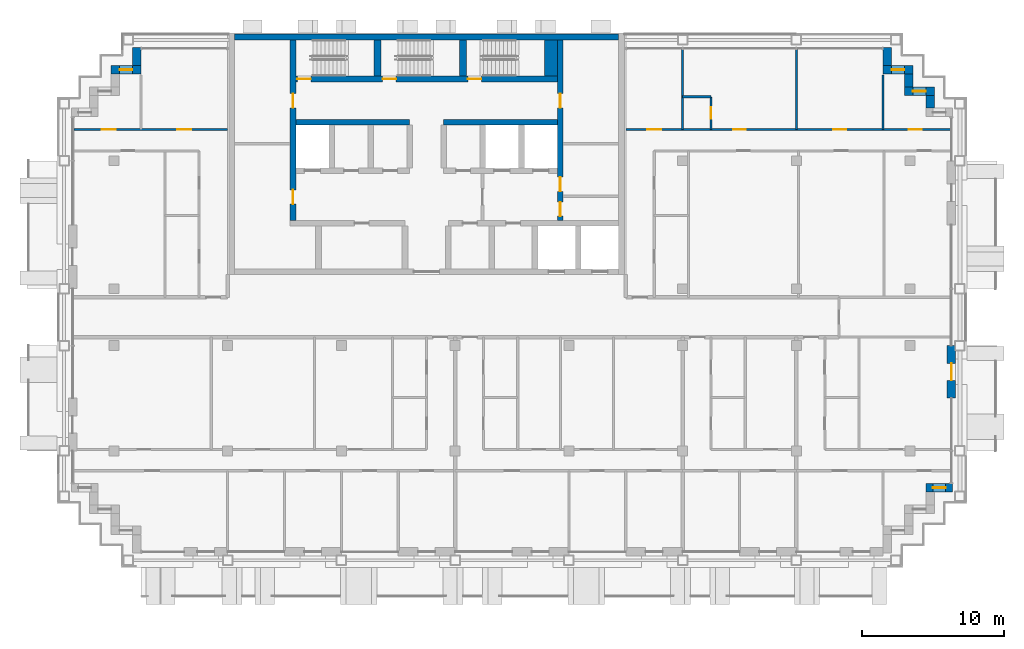
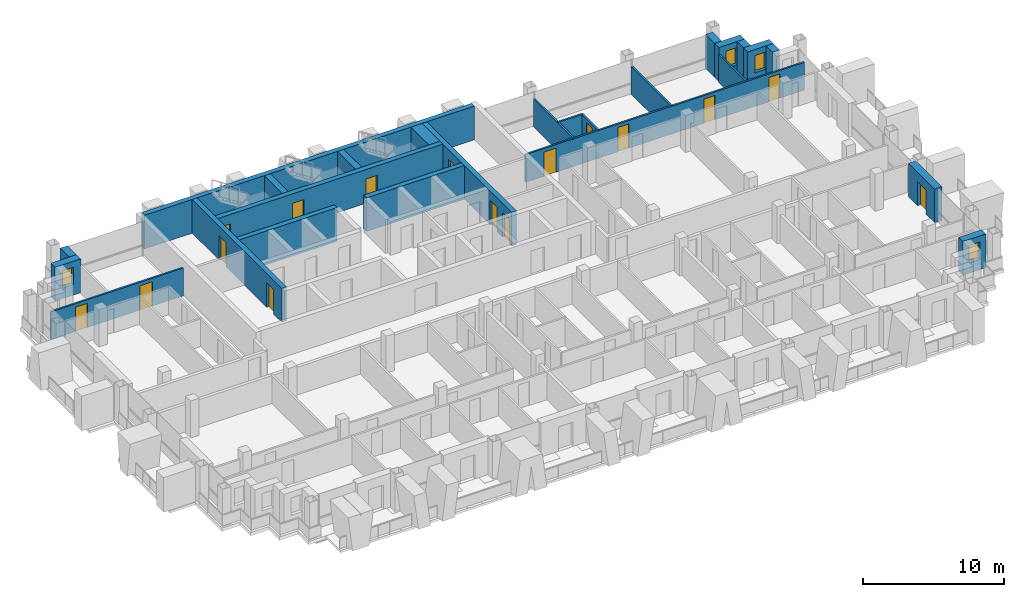
# One storey, part 11 of 16: 25 walls, 16 doors, 4 windows, 20 openings.
"""IFC4 building model written with IfcOpenShell, lengths in metres."""

from ifc_helpers import new_model, si_unit, direction, frame, frame_2d, origin, place, context, subcontext, project, spatial, rectangle, extrude, material, layer, layer_set, type_object, element, fill, save


model = new_model("IFC4")

# Units and contexts
model_context = context("Model", 3, precision=1e-05, world=origin(), true_north=direction((0.0, 1.0)))
body_context = subcontext(model_context, "Body", "Model", "MODEL_VIEW")
ifc_project = project(units=[si_unit("LENGTHUNIT", "METRE"), si_unit("AREAUNIT", "SQUARE_METRE"), si_unit("VOLUMEUNIT", "CUBIC_METRE"), si_unit("PLANEANGLEUNIT", "RADIAN"), si_unit("MASSUNIT", "GRAM", prefix="KILO")], contexts=[model_context])

# Site, building, storey
site_placement = place(None, origin())
site = spatial("IfcSite", under=ifc_project, at=site_placement, CompositionType="ELEMENT")
building_placement = place(site_placement, origin())
building = spatial("IfcBuilding", under=site, at=building_placement, Name="Vidyagriha Tower", CompositionType="ELEMENT")
storey_placement = place(building_placement, frame((0.0, 0.0, 174.89990234375)))
storey = spatial("IfcBuildingStorey", under=building, at=storey_placement, Name="L45", CompositionType="ELEMENT", Elevation=174.89990234375)

# Wall
ifc_material_1 = material(Name="Precast concrete C40/50 with brick facing", Category="concrete")
ifc_layer_1 = layer(ifc_material_1, 0.60009765625)
ifc_layer_set_1 = layer_set([ifc_layer_1], Name="Precast concrete C40/50 with brick facing")
wall_type_1 = type_object("IfcWallType", Name="Brick-faced precast wall 600", PredefinedType="STANDARD", material=ifc_layer_set_1)
wall_1_placement = place(storey_placement, frame((35.39990234375, 14.699951171875, 0.0), z_axis=(0.0, 0.0, 1.0), x_axis=(0.0, 1.0, 0.0)))
element("IfcWall", 1, at=wall_1_placement, inside=storey, type_object=wall_type_1, Name="Stepped corner wall L45 R02", PredefinedType="STANDARD", context=body_context, shape_type="SweptSolid", body=[
    extrude(rectangle(XDim=0.900146484375, YDim=0.60009765625, at=frame_2d((0.4501953125, 0.0))), origin(), (0.0, 0.0, 1.0), 2.920166015625),
])

# Wall, opening, window
wall_2_placement = place(storey_placement, frame((35.699951171875, 15.89990234375, 0.0), z_axis=(0.0, 0.0, 1.0), x_axis=(-1.0, 0.0, 0.0)))
wall_2 = element("IfcWall", 2, at=wall_2_placement, inside=storey, type_object=wall_type_1, Name="Stepped corner wall L45 R03", PredefinedType="STANDARD", context=body_context, shape_type="SweptSolid", body=[
    extrude(rectangle(XDim=2.099853515625, YDim=0.60009765625, at=frame_2d((1.0498046875, 0.0))), origin(), (0.0, 0.0, 1.0), 2.920166015625),
])
opening_1_placement = place(wall_2_placement, frame((0.60009765625, 0.0, 0.89990234375)))
opening_1 = element("IfcOpeningElement", 3, at=opening_1_placement, cuts=wall_2, Name="Opening WN1", PredefinedType="OPENING", context=body_context, shape_type="SweptSolid", body=[
    extrude(rectangle(XDim=0.89990234375, YDim=1.5, at=frame_2d((0.449951171875, 0.75))), frame((0.0, 0.31005859375, 0.0), z_axis=(0.0, -1.0, 0.0), x_axis=(1.0, 0.0, 0.0)), (0.0, 0.0, 1.0), 0.6201171875),
])
ifc_material_2 = material(Name="Aluminium and glass window", Category="aluminium")
window_type = type_object("IfcWindowType", Name="Reveal window 900x1500", PartitioningType="NOTDEFINED", PredefinedType="WINDOW", material=ifc_material_2)
window_1_placement = place(opening_1_placement, origin())
window_1 = element("IfcWindow", 4, at=window_1_placement, inside=storey, type_object=window_type, Name="Reveal window L45 R03", OverallHeight=1.5, OverallWidth=0.89990234375, PartitioningType="SINGLE_PANEL", PredefinedType="WINDOW", context=body_context, shape_type="SweptSolid", body=[
    extrude(rectangle(XDim=0.89990234375, YDim=1.5, at=frame_2d((0.449951171875, 0.75))), frame((0.0, 0.030029296875, 0.0), z_axis=(0.0, -1.0, 0.0), x_axis=(1.0, 0.0, 0.0)), (0.0, 0.0, 1.0), 0.06005859375),
])
fill(opening_1, window_1)

# Wall
wall_3_placement = place(storey_placement, frame((33.89990234375, 16.199951171875, 0.0), z_axis=(0.0, 0.0, 1.0), x_axis=(0.0, 1.0, 0.0)))
element("IfcWall", 5, at=wall_3_placement, inside=storey, type_object=wall_type_1, Name="Stepped corner wall L45 R04", PredefinedType="STANDARD", context=body_context, shape_type="SweptSolid", body=[
    extrude(rectangle(XDim=0.900146484375, YDim=0.60009765625, at=frame_2d((0.4501953125, 0.0))), origin(), (0.0, 0.0, 1.0), 2.920166015625),
])

# Wall, opening, window
wall_4_placement = place(storey_placement, frame((34.199951171875, 17.39990234375, 0.0), z_axis=(0.0, 0.0, 1.0), x_axis=(-1.0, 0.0, 0.0)))
wall_4 = element("IfcWall", 6, at=wall_4_placement, inside=storey, type_object=wall_type_1, Name="Stepped corner wall L45 R05", PredefinedType="STANDARD", context=body_context, shape_type="SweptSolid", body=[
    extrude(rectangle(XDim=2.099853515625, YDim=0.60009765625, at=frame_2d((1.0498046875, 0.0))), origin(), (0.0, 0.0, 1.0), 2.920166015625),
])
opening_2_placement = place(wall_4_placement, frame((0.60009765625, 0.0, 0.89990234375)))
opening_2 = element("IfcOpeningElement", 7, at=opening_2_placement, cuts=wall_4, Name="Opening WN1", PredefinedType="OPENING", context=body_context, shape_type="SweptSolid", body=[
    extrude(rectangle(XDim=0.89990234375, YDim=1.5, at=frame_2d((0.449951171875, 0.75))), frame((0.0, 0.31005859375, 0.0), z_axis=(0.0, -1.0, 0.0), x_axis=(1.0, 0.0, 0.0)), (0.0, 0.0, 1.0), 0.6201171875),
])
window_2_placement = place(opening_2_placement, origin())
window_2 = element("IfcWindow", 8, at=window_2_placement, inside=storey, type_object=window_type, Name="Reveal window L45 R05", OverallHeight=1.5, OverallWidth=0.89990234375, PartitioningType="SINGLE_PANEL", PredefinedType="WINDOW", context=body_context, shape_type="SweptSolid", body=[
    extrude(rectangle(XDim=0.89990234375, YDim=1.5, at=frame_2d((0.449951171875, 0.75))), frame((0.0, 0.030029296875, 0.0), z_axis=(0.0, -1.0, 0.0), x_axis=(1.0, 0.0, 0.0)), (0.0, 0.0, 1.0), 0.06005859375),
])
fill(opening_2, window_2)

# Walls
for number, where, z_axis, x_axis, name in (
    (9, (32.39990234375, 17.699951171875, 0.0), (0.0, 0.0, 1.0), (0.0, 1.0, 0.0), "Stepped corner wall L45 R06"),
    (10, (-20.39990234375, 18.97998046875, 0.0), (0.0, 0.0, 1.0), (0.0, -1.0, 0.0), "Stepped corner wall L45 R10"),
):
    element("IfcWall", number, at=place(storey_placement, frame(where, z_axis=z_axis, x_axis=x_axis)), inside=storey, type_object=wall_type_1, Name=name, PredefinedType="STANDARD", context=body_context, shape_type="SweptSolid", body=[
        extrude(rectangle(XDim=1.280029296875, YDim=0.60009765625, at=frame_2d((0.64013671875, 0.0))), origin(), (0.0, 0.0, 1.0), 2.920166015625),
    ])

# Wall, opening, window
wall_5_placement = place(storey_placement, frame((-20.10009765625, 17.39990234375, 0.0), z_axis=(0.0, 0.0, 1.0), x_axis=(-1.0, 0.0, 0.0)))
wall_5 = element("IfcWall", 11, at=wall_5_placement, inside=storey, type_object=wall_type_1, Name="Stepped corner wall L45 R11", PredefinedType="STANDARD", context=body_context, shape_type="SweptSolid", body=[
    extrude(rectangle(XDim=2.099853515625, YDim=0.60009765625, at=frame_2d((1.0498046875, 0.0))), origin(), (0.0, 0.0, 1.0), 2.920166015625),
])
opening_3_placement = place(wall_5_placement, frame((0.60009765625, 0.0, 0.89990234375)))
opening_3 = element("IfcOpeningElement", 12, at=opening_3_placement, cuts=wall_5, Name="Opening WN1", PredefinedType="OPENING", context=body_context, shape_type="SweptSolid", body=[
    extrude(rectangle(XDim=0.89990234375, YDim=1.5, at=frame_2d((0.449951171875, 0.75))), frame((0.0, 0.31005859375, 0.0), z_axis=(0.0, -1.0, 0.0), x_axis=(1.0, 0.0, 0.0)), (0.0, 0.0, 1.0), 0.6201171875),
])
window_3_placement = place(opening_3_placement, origin())
window_3 = element("IfcWindow", 13, at=window_3_placement, inside=storey, type_object=window_type, Name="Reveal window L45 R11", OverallHeight=1.5, OverallWidth=0.89990234375, PartitioningType="SINGLE_PANEL", PredefinedType="WINDOW", context=body_context, shape_type="SweptSolid", body=[
    extrude(rectangle(XDim=0.89990234375, YDim=1.5, at=frame_2d((0.449951171875, 0.75))), frame((0.0, 0.030029296875, 0.0), z_axis=(0.0, -1.0, 0.0), x_axis=(1.0, 0.0, 0.0)), (0.0, 0.0, 1.0), 0.06005859375),
])
fill(opening_3, window_3)

wall_6_placement = place(storey_placement, frame((35.10009765625, -12.0, 0.0)))
wall_6 = element("IfcWall", 14, at=wall_6_placement, inside=storey, type_object=wall_type_1, Name="Stepped corner wall L45 R29", PredefinedType="STANDARD", context=body_context, shape_type="SweptSolid", body=[
    extrude(rectangle(XDim=1.8798828125, YDim=0.60009765625, at=frame_2d((0.93994140625, 0.0))), origin(), (0.0, 0.0, 1.0), 2.920166015625),
])
opening_4_placement = place(wall_6_placement, frame((0.489990234375, 0.0, 0.89990234375)))
opening_4 = element("IfcOpeningElement", 15, at=opening_4_placement, cuts=wall_6, Name="Opening WN1", PredefinedType="OPENING", context=body_context, shape_type="SweptSolid", body=[
    extrude(rectangle(XDim=0.89990234375, YDim=1.5, at=frame_2d((0.449951171875, 0.75))), frame((0.0, 0.31005859375, 0.0), z_axis=(0.0, -1.0, 0.0), x_axis=(1.0, 0.0, 0.0)), (0.0, 0.0, 1.0), 0.6201171875),
])
window_4_placement = place(opening_4_placement, origin())
window_4 = element("IfcWindow", 16, at=window_4_placement, inside=storey, type_object=window_type, Name="Reveal window L45 R29", OverallHeight=1.5, OverallWidth=0.89990234375, PartitioningType="SINGLE_PANEL", PredefinedType="WINDOW", context=body_context, shape_type="SweptSolid", body=[
    extrude(rectangle(XDim=0.89990234375, YDim=1.5, at=frame_2d((0.449951171875, 0.75))), frame((0.0, 0.030029296875, 0.0), z_axis=(0.0, -1.0, 0.0), x_axis=(1.0, 0.0, 0.0)), (0.0, 0.0, 1.0), 0.06005859375),
])
fill(opening_4, window_4)

# Wall, opening, door
wall_7_placement = place(storey_placement, frame((36.89990234375, -5.699951171875, 0.0), z_axis=(0.0, 0.0, 1.0), x_axis=(0.0, 1.0, 0.0)))
wall_7 = element("IfcWall", 17, at=wall_7_placement, inside=storey, type_object=wall_type_1, Name="Brick door bay wall L45 R30.3", PredefinedType="STANDARD", context=body_context, shape_type="SweptSolid", body=[
    extrude(rectangle(XDim=3.699951171875, YDim=0.60009765625, at=frame_2d((1.85009765625, 0.0))), origin(), (0.0, 0.0, 1.0), 2.920166015625),
])
opening_5_placement = place(wall_7_placement, frame((1.25, 0.0, 0.0)))
opening_5 = element("IfcOpeningElement", 18, at=opening_5_placement, cuts=wall_7, Name="Opening D45-76", PredefinedType="OPENING", context=body_context, shape_type="SweptSolid", body=[
    extrude(rectangle(XDim=1.199951171875, YDim=2.10009765625, at=frame_2d((0.60009765625, 1.050048828125))), frame((0.0, 0.31005859375, 0.0), z_axis=(0.0, -1.0, 0.0), x_axis=(1.0, 0.0, 0.0)), (0.0, 0.0, 1.0), 0.6201171875),
])
ifc_material_3 = material(Name="Aluminium framed glazed sliding door", Category="aluminium")
door_type_1 = type_object("IfcDoorType", Name="Balcony sliding door 1200x2100", OperationType="NOTDEFINED", PredefinedType="DOOR", material=ifc_material_3)
door_1_placement = place(opening_5_placement, origin())
door_1 = element("IfcDoor", 19, at=door_1_placement, inside=storey, type_object=door_type_1, Name="Door D45-76", OperationType="SLIDING_TO_LEFT", OverallHeight=2.10009765625, OverallWidth=1.199951171875, PredefinedType="DOOR", context=body_context, shape_type="SweptSolid", body=[
    extrude(rectangle(XDim=1.199951171875, YDim=2.10009765625, at=frame_2d((0.60009765625, 1.050048828125))), frame((0.0, 0.02490234375, 0.0), z_axis=(0.0, -1.0, 0.0), x_axis=(1.0, 0.0, 0.0)), (0.0, 0.0, 1.0), 0.050048828125),
])
fill(opening_5, door_1)

# Wall
ifc_material_4 = material(Name="Concrete C60/75", Category="concrete")
ifc_layer_2 = layer(ifc_material_4, 0.39990234375)
ifc_layer_set_2 = layer_set([ifc_layer_2], Name="Concrete C60/75")
wall_type_2 = type_object("IfcWallType", Name="Core shear wall 400 mm", PredefinedType="SHEAR", material=ifc_layer_set_2)
wall_8_placement = place(storey_placement, frame((-13.5, 19.699951171875, 0.0)))
element("IfcWall", 20, at=wall_8_placement, inside=storey, type_object=wall_type_2, Name="Core north wall", PredefinedType="SHEAR", context=body_context, shape_type="SweptSolid", body=[
    extrude(rectangle(XDim=27.0, YDim=0.39990234375, at=frame_2d((13.5, 0.0))), origin(), (0.0, 0.0, 1.0), 2.920166015625),
])

# Wall, openings, doors
wall_9_placement = place(storey_placement, frame((-9.39990234375, 6.800048828125, 0.0), z_axis=(0.0, 0.0, 1.0), x_axis=(0.0, 1.0, 0.0)))
wall_9 = element("IfcWall", 21, at=wall_9_placement, inside=storey, type_object=wall_type_2, Name="Core west spine wall", PredefinedType="SHEAR", context=body_context, shape_type="SweptSolid", body=[
    extrude(rectangle(XDim=12.699951171875, YDim=0.39990234375, at=frame_2d((6.35009765625, 0.0))), origin(), (0.0, 0.0, 1.0), 2.920166015625),
])
opening_6_placement = place(wall_9_placement, frame((1.14990234375, 0.0, 0.0)))
opening_6 = element("IfcOpeningElement", 22, at=opening_6_placement, cuts=wall_9, Name="Opening D45-12", PredefinedType="OPENING", context=body_context, shape_type="SweptSolid", body=[
    extrude(rectangle(XDim=1.0, YDim=2.10009765625, at=frame_2d((0.5, 1.050048828125))), frame((0.0, 0.2099609375, 0.0), z_axis=(0.0, -1.0, 0.0), x_axis=(1.0, 0.0, 0.0)), (0.0, 0.0, 1.0), 0.419921875),
])
opening_7_placement = place(wall_9_placement, frame((7.925048828125, 0.0, 0.0)))
opening_7 = element("IfcOpeningElement", 23, at=opening_7_placement, cuts=wall_9, Name="Opening D45-13", PredefinedType="OPENING", context=body_context, shape_type="SweptSolid", body=[
    extrude(rectangle(XDim=1.0, YDim=2.10009765625, at=frame_2d((0.5, 1.050048828125))), frame((0.0, 0.2099609375, 0.0), z_axis=(0.0, -1.0, 0.0), x_axis=(1.0, 0.0, 0.0)), (0.0, 0.0, 1.0), 0.419921875),
])
ifc_material_5 = material(Name="Hollow metal door leaf")
door_type_2 = type_object("IfcDoorType", Name="Core room door 1000 x 2100 mm EI 60", OperationType="NOTDEFINED", PredefinedType="DOOR", material=ifc_material_5)
door_2_placement = place(opening_6_placement, frame((1.0, 0.0, 0.0), z_axis=(0.0, 0.0, 1.0), x_axis=(-1.0, 0.0, 0.0)))
door_2 = element("IfcDoor", 24, at=door_2_placement, inside=storey, type_object=door_type_2, Name="Door Cleaners Store 45.W1", OperationType="SINGLE_SWING_RIGHT", OverallHeight=2.10009765625, OverallWidth=1.0, PredefinedType="DOOR", context=body_context, shape_type="SweptSolid", body=[
    extrude(rectangle(XDim=1.0, YDim=2.10009765625, at=frame_2d((0.5, 1.050048828125))), frame((0.0, 0.02490234375, 0.0), z_axis=(0.0, -1.0, 0.0), x_axis=(1.0, 0.0, 0.0)), (0.0, 0.0, 1.0), 0.050048828125),
])
fill(opening_6, door_2)
door_3_placement = place(opening_7_placement, frame((1.0, 0.0, 0.0), z_axis=(0.0, 0.0, 1.0), x_axis=(-1.0, 0.0, 0.0)))
door_3 = element("IfcDoor", 25, at=door_3_placement, inside=storey, type_object=door_type_2, Name="Door Pressurisation Plant Room 45.W2", OperationType="SINGLE_SWING_LEFT", OverallHeight=2.10009765625, OverallWidth=1.0, PredefinedType="DOOR", context=body_context, shape_type="SweptSolid", body=[
    extrude(rectangle(XDim=1.0, YDim=2.10009765625, at=frame_2d((0.5, 1.050048828125))), frame((0.0, 0.02490234375, 0.0), z_axis=(0.0, -1.0, 0.0), x_axis=(1.0, 0.0, 0.0)), (0.0, 0.0, 1.0), 0.050048828125),
])
fill(opening_7, door_3)

wall_10_placement = place(storey_placement, frame((9.39990234375, 6.800048828125, 0.0), z_axis=(0.0, 0.0, 1.0), x_axis=(0.0, 1.0, 0.0)))
wall_10 = element("IfcWall", 26, at=wall_10_placement, inside=storey, type_object=wall_type_2, Name="Core east spine wall", PredefinedType="SHEAR", context=body_context, shape_type="SweptSolid", body=[
    extrude(rectangle(XDim=12.699951171875, YDim=0.39990234375, at=frame_2d((6.35009765625, 0.0))), origin(), (0.0, 0.0, 1.0), 2.920166015625),
])
opening_8_placement = place(wall_10_placement, frame((0.300048828125, 0.0, 0.0)))
opening_8 = element("IfcOpeningElement", 27, at=opening_8_placement, cuts=wall_10, Name="Opening D45-14", PredefinedType="OPENING", context=body_context, shape_type="SweptSolid", body=[
    extrude(rectangle(XDim=1.0, YDim=2.10009765625, at=frame_2d((0.5, 1.050048828125))), frame((0.0, 0.2099609375, 0.0), z_axis=(0.0, -1.0, 0.0), x_axis=(1.0, 0.0, 0.0)), (0.0, 0.0, 1.0), 0.419921875),
])
opening_9_placement = place(wall_10_placement, frame((2.050048828125, 0.0, 0.0)))
opening_9 = element("IfcOpeningElement", 28, at=opening_9_placement, cuts=wall_10, Name="Opening D45-15", PredefinedType="OPENING", context=body_context, shape_type="SweptSolid", body=[
    extrude(rectangle(XDim=1.0, YDim=2.10009765625, at=frame_2d((0.5, 1.050048828125))), frame((0.0, 0.2099609375, 0.0), z_axis=(0.0, -1.0, 0.0), x_axis=(1.0, 0.0, 0.0)), (0.0, 0.0, 1.0), 0.419921875),
])
opening_10_placement = place(wall_10_placement, frame((7.925048828125, 0.0, 0.0)))
opening_10 = element("IfcOpeningElement", 29, at=opening_10_placement, cuts=wall_10, Name="Opening D45-16", PredefinedType="OPENING", context=body_context, shape_type="SweptSolid", body=[
    extrude(rectangle(XDim=1.0, YDim=2.10009765625, at=frame_2d((0.5, 1.050048828125))), frame((0.0, 0.2099609375, 0.0), z_axis=(0.0, -1.0, 0.0), x_axis=(1.0, 0.0, 0.0)), (0.0, 0.0, 1.0), 0.419921875),
])
door_4_placement = place(opening_8_placement, origin())
door_4 = element("IfcDoor", 30, at=door_4_placement, inside=storey, type_object=door_type_2, Name="Door Pressurisation Plant Room 45.E1", OperationType="SINGLE_SWING_RIGHT", OverallHeight=2.10009765625, OverallWidth=1.0, PredefinedType="DOOR", context=body_context, shape_type="SweptSolid", body=[
    extrude(rectangle(XDim=1.0, YDim=2.10009765625, at=frame_2d((0.5, 1.050048828125))), frame((0.0, 0.02490234375, 0.0), z_axis=(0.0, -1.0, 0.0), x_axis=(1.0, 0.0, 0.0)), (0.0, 0.0, 1.0), 0.050048828125),
])
fill(opening_8, door_4)
door_5_placement = place(opening_9_placement, origin())
door_5 = element("IfcDoor", 31, at=door_5_placement, inside=storey, type_object=door_type_2, Name="Door Switchgear Room 45.E2", OperationType="SINGLE_SWING_LEFT", OverallHeight=2.10009765625, OverallWidth=1.0, PredefinedType="DOOR", context=body_context, shape_type="SweptSolid", body=[
    extrude(rectangle(XDim=1.0, YDim=2.10009765625, at=frame_2d((0.5, 1.050048828125))), frame((0.0, 0.02490234375, 0.0), z_axis=(0.0, -1.0, 0.0), x_axis=(1.0, 0.0, 0.0)), (0.0, 0.0, 1.0), 0.050048828125),
])
fill(opening_9, door_5)
door_6_placement = place(opening_10_placement, origin())
door_6 = element("IfcDoor", 32, at=door_6_placement, inside=storey, type_object=door_type_2, Name="Door Communications Room 45.E3", OperationType="SINGLE_SWING_LEFT", OverallHeight=2.10009765625, OverallWidth=1.0, PredefinedType="DOOR", context=body_context, shape_type="SweptSolid", body=[
    extrude(rectangle(XDim=1.0, YDim=2.10009765625, at=frame_2d((0.5, 1.050048828125))), frame((0.0, 0.02490234375, 0.0), z_axis=(0.0, -1.0, 0.0), x_axis=(1.0, 0.0, 0.0)), (0.0, 0.0, 1.0), 0.050048828125),
])
fill(opening_10, door_6)

# Walls
for number, where, name in (
    (33, (-9.199951171875, 13.699951171875, 0.0), "Core row N rear wall"),
    (34, (1.199951171875, 13.699951171875, 0.0), "Core row N rear wall"),
):
    element("IfcWall", number, at=place(storey_placement, frame(where)), inside=storey, type_object=wall_type_2, Name=name, PredefinedType="SHEAR", context=body_context, shape_type="SweptSolid", body=[
        extrude(rectangle(XDim=8.0, YDim=0.39990234375, at=frame_2d((4.0, 0.0))), origin(), (0.0, 0.0, 1.0), 2.920166015625),
    ])

# Wall, openings, doors
wall_11_placement = place(storey_placement, frame((-9.199951171875, 16.75, 0.0)))
wall_11 = element("IfcWall", 35, at=wall_11_placement, inside=storey, type_object=wall_type_2, Name="Stair front wall", PredefinedType="SHEAR", context=body_context, shape_type="SweptSolid", body=[
    extrude(rectangle(XDim=18.39990234375, YDim=0.39990234375, at=frame_2d((9.199951171875, 0.0))), origin(), (0.0, 0.0, 1.0), 2.920166015625),
])
opening_11_placement = place(wall_11_placement, frame((0.10009765625, 0.0, 0.0)))
opening_11 = element("IfcOpeningElement", 36, at=opening_11_placement, cuts=wall_11, Name="Opening D45-09", PredefinedType="OPENING", context=body_context, shape_type="SweptSolid", body=[
    extrude(rectangle(XDim=0.949951171875, YDim=2.10009765625, at=frame_2d((0.47509765625, 1.050048828125))), frame((0.0, 0.2099609375, 0.0), z_axis=(0.0, -1.0, 0.0), x_axis=(1.0, 0.0, 0.0)), (0.0, 0.0, 1.0), 0.419921875),
])
opening_12_placement = place(wall_11_placement, frame((6.10009765625, 0.0, 0.0)))
opening_12 = element("IfcOpeningElement", 37, at=opening_12_placement, cuts=wall_11, Name="Opening D45-10", PredefinedType="OPENING", context=body_context, shape_type="SweptSolid", body=[
    extrude(rectangle(XDim=0.949951171875, YDim=2.10009765625, at=frame_2d((0.47509765625, 1.050048828125))), frame((0.0, 0.2099609375, 0.0), z_axis=(0.0, -1.0, 0.0), x_axis=(1.0, 0.0, 0.0)), (0.0, 0.0, 1.0), 0.419921875),
])
opening_13_placement = place(wall_11_placement, frame((12.10009765625, 0.0, 0.0)))
opening_13 = element("IfcOpeningElement", 38, at=opening_13_placement, cuts=wall_11, Name="Opening D45-11", PredefinedType="OPENING", context=body_context, shape_type="SweptSolid", body=[
    extrude(rectangle(XDim=0.949951171875, YDim=2.10009765625, at=frame_2d((0.47509765625, 1.050048828125))), frame((0.0, 0.2099609375, 0.0), z_axis=(0.0, -1.0, 0.0), x_axis=(1.0, 0.0, 0.0)), (0.0, 0.0, 1.0), 0.419921875),
])
ifc_material_6 = material(Name="Hollow metal door leaf")
door_type_3 = type_object("IfcDoorType", Name="Exit stair door 950 x 2100 mm EI 90", OperationType="NOTDEFINED", PredefinedType="DOOR", material=ifc_material_6)
door_7_placement = place(opening_11_placement, origin())
door_7 = element("IfcDoor", 39, at=door_7_placement, inside=storey, type_object=door_type_3, Name="Stair door ST1 L45", OperationType="SINGLE_SWING_LEFT", OverallHeight=2.10009765625, OverallWidth=0.949951171875, PredefinedType="DOOR", context=body_context, shape_type="SweptSolid", body=[
    extrude(rectangle(XDim=0.949951171875, YDim=2.10009765625, at=frame_2d((0.47509765625, 1.050048828125))), frame((0.0, 0.02490234375, 0.0), z_axis=(0.0, -1.0, 0.0), x_axis=(1.0, 0.0, 0.0)), (0.0, 0.0, 1.0), 0.050048828125),
])
fill(opening_11, door_7)
door_8_placement = place(opening_12_placement, origin())
door_8 = element("IfcDoor", 40, at=door_8_placement, inside=storey, type_object=door_type_3, Name="Stair door ST2 L45", OperationType="SINGLE_SWING_LEFT", OverallHeight=2.10009765625, OverallWidth=0.949951171875, PredefinedType="DOOR", context=body_context, shape_type="SweptSolid", body=[
    extrude(rectangle(XDim=0.949951171875, YDim=2.10009765625, at=frame_2d((0.47509765625, 1.050048828125))), frame((0.0, 0.02490234375, 0.0), z_axis=(0.0, -1.0, 0.0), x_axis=(1.0, 0.0, 0.0)), (0.0, 0.0, 1.0), 0.050048828125),
])
fill(opening_12, door_8)
door_9_placement = place(opening_13_placement, origin())
door_9 = element("IfcDoor", 41, at=door_9_placement, inside=storey, type_object=door_type_3, Name="Stair door ST3 L45", OperationType="SINGLE_SWING_LEFT", OverallHeight=2.10009765625, OverallWidth=0.949951171875, PredefinedType="DOOR", context=body_context, shape_type="SweptSolid", body=[
    extrude(rectangle(XDim=0.949951171875, YDim=2.10009765625, at=frame_2d((0.47509765625, 1.050048828125))), frame((0.0, 0.02490234375, 0.0), z_axis=(0.0, -1.0, 0.0), x_axis=(1.0, 0.0, 0.0)), (0.0, 0.0, 1.0), 0.050048828125),
])
fill(opening_13, door_9)

# Walls
ifc_material_7 = material(Name="Concrete C60/75", Category="concrete")
ifc_layer_3 = layer(ifc_material_7, 0.5)
ifc_layer_set_3 = layer_set([ifc_layer_3], Name="Concrete C60/75")
wall_type_3 = type_object("IfcWallType", Name="Core shear wall 500 mm", PredefinedType="SHEAR", material=ifc_layer_set_3)
for number, where, z_axis, x_axis, name in (
    (42, (-3.449951171875, 16.949951171875, 0.0), (0.0, 0.0, 1.0), (0.0, 1.0, 0.0), "Stair partition wall 1"),
    (43, (2.550048828125, 16.949951171875, 0.0), (0.0, 0.0, 1.0), (0.0, 1.0, 0.0), "Stair partition wall 2"),
):
    element("IfcWall", number, at=place(storey_placement, frame(where, z_axis=z_axis, x_axis=x_axis)), inside=storey, type_object=wall_type_3, Name=name, PredefinedType="SHEAR", context=body_context, shape_type="SweptSolid", body=[
        extrude(rectangle(XDim=2.550048828125, YDim=0.5, at=frame_2d((1.27490234375, 0.0))), origin(), (0.0, 0.0, 1.0), 2.920166015625),
    ])
ifc_material_8 = material(Name="Concrete C60/75", Category="concrete")
ifc_layer_4 = layer(ifc_material_8, 0.89990234375)
ifc_layer_set_4 = layer_set([ifc_layer_4], Name="Concrete C60/75")
wall_type_4 = type_object("IfcWallType", Name="Core shear wall 900 mm", PredefinedType="SHEAR", material=ifc_layer_set_4)
wall_12_placement = place(storey_placement, frame((8.75, 16.949951171875, 0.0), z_axis=(0.0, 0.0, 1.0), x_axis=(0.0, 1.0, 0.0)))
element("IfcWall", 44, at=wall_12_placement, inside=storey, type_object=wall_type_4, Name="Stair end wall", PredefinedType="SHEAR", context=body_context, shape_type="SweptSolid", body=[
    extrude(rectangle(XDim=2.550048828125, YDim=0.89990234375, at=frame_2d((1.27490234375, 0.0))), origin(), (0.0, 0.0, 1.0), 2.920166015625),
])

# Wall, openings, doors
ifc_material_9 = material(Name="Gypsum board partition")
ifc_layer_5 = layer(ifc_material_9, 0.14990234375)
ifc_layer_set_5 = layer_set([ifc_layer_5], Name="Gypsum board partition")
wall_type_5 = type_object("IfcWallType", Name="Gypsum board partition 150", PredefinedType="PARTITIONING", material=ifc_layer_set_5)
wall_13_placement = place(storey_placement, frame((-24.820068359375, 13.199951171875, 0.0)))
wall_13 = element("IfcWall", 45, at=wall_13_placement, inside=storey, type_object=wall_type_5, Name="Wall all-L45-w078", PredefinedType="PARTITIONING", context=body_context, shape_type="SweptSolid", body=[
    extrude(rectangle(XDim=10.820068359375, YDim=0.14990234375, at=frame_2d((5.41015625, 0.0))), origin(), (0.0, 0.0, 1.0), 2.400146484375),
])
opening_14_placement = place(wall_13_placement, frame((1.969970703125, 0.0, 0.0)))
opening_14 = element("IfcOpeningElement", 46, at=opening_14_placement, cuts=wall_13, Name="Opening D45-52", PredefinedType="OPENING", context=body_context, shape_type="SweptSolid", body=[
    extrude(rectangle(XDim=1.0, YDim=2.10009765625, at=frame_2d((0.5, 1.050048828125))), frame((0.0, 0.0849609375, 0.0), z_axis=(0.0, -1.0, 0.0), x_axis=(1.0, 0.0, 0.0)), (0.0, 0.0, 1.0), 0.169921875),
])
opening_15_placement = place(wall_13_placement, frame((7.27001953125, 0.0, 0.0)))
opening_15 = element("IfcOpeningElement", 47, at=opening_15_placement, cuts=wall_13, Name="Opening D45-53", PredefinedType="OPENING", context=body_context, shape_type="SweptSolid", body=[
    extrude(rectangle(XDim=1.0, YDim=2.10009765625, at=frame_2d((0.5, 1.050048828125))), frame((0.0, 0.0849609375, 0.0), z_axis=(0.0, -1.0, 0.0), x_axis=(1.0, 0.0, 0.0)), (0.0, 0.0, 1.0), 0.169921875),
])
ifc_material_10 = material(Name="Timber door leaf", Category="wood")
door_type_4 = type_object("IfcDoorType", Name="Room door 1000x2100", OperationType="NOTDEFINED", PredefinedType="DOOR", material=ifc_material_10)
door_10_placement = place(opening_14_placement, origin())
door_10 = element("IfcDoor", 48, at=door_10_placement, inside=storey, type_object=door_type_4, Name="Door D45-52", OperationType="SINGLE_SWING_RIGHT", OverallHeight=2.10009765625, OverallWidth=1.0, PredefinedType="DOOR", context=body_context, shape_type="SweptSolid", body=[
    extrude(rectangle(XDim=1.0, YDim=2.10009765625, at=frame_2d((0.5, 1.050048828125))), frame((0.0, 0.02490234375, 0.0), z_axis=(0.0, -1.0, 0.0), x_axis=(1.0, 0.0, 0.0)), (0.0, 0.0, 1.0), 0.050048828125),
])
fill(opening_14, door_10)
door_11_placement = place(opening_15_placement, origin())
door_11 = element("IfcDoor", 49, at=door_11_placement, inside=storey, type_object=door_type_4, Name="Door D45-53", OperationType="SINGLE_SWING_RIGHT", OverallHeight=2.10009765625, OverallWidth=1.0, PredefinedType="DOOR", context=body_context, shape_type="SweptSolid", body=[
    extrude(rectangle(XDim=1.0, YDim=2.10009765625, at=frame_2d((0.5, 1.050048828125))), frame((0.0, 0.02490234375, 0.0), z_axis=(0.0, -1.0, 0.0), x_axis=(1.0, 0.0, 0.0)), (0.0, 0.0, 1.0), 0.050048828125),
])
fill(opening_15, door_11)

wall_14_placement = place(storey_placement, frame((14.0, 13.199951171875, 0.0)))
wall_14 = element("IfcWall", 50, at=wall_14_placement, inside=storey, type_object=wall_type_5, Name="Wall all-L45-w095", PredefinedType="PARTITIONING", context=body_context, shape_type="SweptSolid", body=[
    extrude(rectangle(XDim=22.820068359375, YDim=0.14990234375, at=frame_2d((11.41015625, 0.0))), origin(), (0.0, 0.0, 1.0), 2.400146484375),
])
opening_16_placement = place(wall_14_placement, frame((1.5, 0.0, 0.0)))
opening_16 = element("IfcOpeningElement", 51, at=opening_16_placement, cuts=wall_14, Name="Opening D45-60", PredefinedType="OPENING", context=body_context, shape_type="SweptSolid", body=[
    extrude(rectangle(XDim=1.0, YDim=2.10009765625, at=frame_2d((0.5, 1.050048828125))), frame((0.0, 0.0849609375, 0.0), z_axis=(0.0, -1.0, 0.0), x_axis=(1.0, 0.0, 0.0)), (0.0, 0.0, 1.0), 0.169921875),
])
opening_17_placement = place(wall_14_placement, frame((7.550048828125, 0.0, 0.0)))
opening_17 = element("IfcOpeningElement", 52, at=opening_17_placement, cuts=wall_14, Name="Opening D45-61", PredefinedType="OPENING", context=body_context, shape_type="SweptSolid", body=[
    extrude(rectangle(XDim=0.89990234375, YDim=2.10009765625, at=frame_2d((0.449951171875, 1.050048828125))), frame((0.0, 0.0849609375, 0.0), z_axis=(0.0, -1.0, 0.0), x_axis=(1.0, 0.0, 0.0)), (0.0, 0.0, 1.0), 0.169921875),
])
opening_18_placement = place(wall_14_placement, frame((14.60009765625, 0.0, 0.0)))
opening_18 = element("IfcOpeningElement", 53, at=opening_18_placement, cuts=wall_14, Name="Opening D45-62", PredefinedType="OPENING", context=body_context, shape_type="SweptSolid", body=[
    extrude(rectangle(XDim=0.89990234375, YDim=2.10009765625, at=frame_2d((0.449951171875, 1.050048828125))), frame((0.0, 0.0849609375, 0.0), z_axis=(0.0, -1.0, 0.0), x_axis=(1.0, 0.0, 0.0)), (0.0, 0.0, 1.0), 0.169921875),
])
opening_19_placement = place(wall_14_placement, frame((19.89990234375, 0.0, 0.0)))
opening_19 = element("IfcOpeningElement", 54, at=opening_19_placement, cuts=wall_14, Name="Opening D45-63", PredefinedType="OPENING", context=body_context, shape_type="SweptSolid", body=[
    extrude(rectangle(XDim=0.89990234375, YDim=2.10009765625, at=frame_2d((0.449951171875, 1.050048828125))), frame((0.0, 0.0849609375, 0.0), z_axis=(0.0, -1.0, 0.0), x_axis=(1.0, 0.0, 0.0)), (0.0, 0.0, 1.0), 0.169921875),
])
door_12_placement = place(opening_16_placement, origin())
door_12 = element("IfcDoor", 55, at=door_12_placement, inside=storey, type_object=door_type_4, Name="Door D45-60", OperationType="SINGLE_SWING_RIGHT", OverallHeight=2.10009765625, OverallWidth=1.0, PredefinedType="DOOR", context=body_context, shape_type="SweptSolid", body=[
    extrude(rectangle(XDim=1.0, YDim=2.10009765625, at=frame_2d((0.5, 1.050048828125))), frame((0.0, 0.02490234375, 0.0), z_axis=(0.0, -1.0, 0.0), x_axis=(1.0, 0.0, 0.0)), (0.0, 0.0, 1.0), 0.050048828125),
])
fill(opening_16, door_12)
ifc_material_11 = material(Name="Timber door leaf", Category="wood")
door_type_5 = type_object("IfcDoorType", Name="Room door 900x2100", OperationType="NOTDEFINED", PredefinedType="DOOR", material=ifc_material_11)
door_13_placement = place(opening_17_placement, origin())
door_13 = element("IfcDoor", 56, at=door_13_placement, inside=storey, type_object=door_type_5, Name="Door D45-61", OperationType="SINGLE_SWING_RIGHT", OverallHeight=2.10009765625, OverallWidth=0.89990234375, PredefinedType="DOOR", context=body_context, shape_type="SweptSolid", body=[
    extrude(rectangle(XDim=0.89990234375, YDim=2.10009765625, at=frame_2d((0.449951171875, 1.050048828125))), frame((0.0, 0.02490234375, 0.0), z_axis=(0.0, -1.0, 0.0), x_axis=(1.0, 0.0, 0.0)), (0.0, 0.0, 1.0), 0.050048828125),
])
fill(opening_17, door_13)
door_14_placement = place(opening_18_placement, origin())
door_14 = element("IfcDoor", 57, at=door_14_placement, inside=storey, type_object=door_type_5, Name="Door D45-62", OperationType="SINGLE_SWING_RIGHT", OverallHeight=2.10009765625, OverallWidth=0.89990234375, PredefinedType="DOOR", context=body_context, shape_type="SweptSolid", body=[
    extrude(rectangle(XDim=0.89990234375, YDim=2.10009765625, at=frame_2d((0.449951171875, 1.050048828125))), frame((0.0, 0.02490234375, 0.0), z_axis=(0.0, -1.0, 0.0), x_axis=(1.0, 0.0, 0.0)), (0.0, 0.0, 1.0), 0.050048828125),
])
fill(opening_18, door_14)
door_15_placement = place(opening_19_placement, origin())
door_15 = element("IfcDoor", 58, at=door_15_placement, inside=storey, type_object=door_type_5, Name="Door D45-63", OperationType="SINGLE_SWING_RIGHT", OverallHeight=2.10009765625, OverallWidth=0.89990234375, PredefinedType="DOOR", context=body_context, shape_type="SweptSolid", body=[
    extrude(rectangle(XDim=0.89990234375, YDim=2.10009765625, at=frame_2d((0.449951171875, 1.050048828125))), frame((0.0, 0.02490234375, 0.0), z_axis=(0.0, -1.0, 0.0), x_axis=(1.0, 0.0, 0.0)), (0.0, 0.0, 1.0), 0.050048828125),
])
fill(opening_19, door_15)

# Walls
for number, where, z_axis, x_axis, name in (
    (59, (18.0, 18.821044921875, 0.0), (0.0, 0.0, 1.0), (0.0, -1.0, 0.0), "Wall all-L45-w100"),
    (60, (26.0, 18.821044921875, 0.0), (0.0, 0.0, 1.0), (0.0, -1.0, 0.0), "Wall all-L45-w101"),
):
    element("IfcWall", number, at=place(storey_placement, frame(where, z_axis=z_axis, x_axis=x_axis)), inside=storey, type_object=wall_type_5, Name=name, PredefinedType="PARTITIONING", context=body_context, shape_type="SweptSolid", body=[
        extrude(rectangle(XDim=5.62109375, YDim=0.14990234375, at=frame_2d((2.810546875, 0.0))), origin(), (0.0, 0.0, 1.0), 2.400146484375),
    ])
wall_15_placement = place(storey_placement, frame((32.10009765625, 17.02001953125, 0.0), z_axis=(0.0, 0.0, 1.0), x_axis=(0.0, -1.0, 0.0)))
element("IfcWall", 61, at=wall_15_placement, inside=storey, type_object=wall_type_5, Name="Wall all-L45-w102", PredefinedType="PARTITIONING", context=body_context, shape_type="SweptSolid", body=[
    extrude(rectangle(XDim=3.820068359375, YDim=0.14990234375, at=frame_2d((1.91015625, 0.0))), origin(), (0.0, 0.0, 1.0), 2.400146484375),
])

# Wall, opening, door
wall_16_placement = place(storey_placement, frame((20.0, 15.5, 0.0), z_axis=(0.0, 0.0, 1.0), x_axis=(0.0, -1.0, 0.0)))
wall_16 = element("IfcWall", 62, at=wall_16_placement, inside=storey, type_object=wall_type_5, Name="Wall all-L45-w103", PredefinedType="PARTITIONING", context=body_context, shape_type="SweptSolid", body=[
    extrude(rectangle(XDim=2.300048828125, YDim=0.14990234375, at=frame_2d((1.14990234375, 0.0))), origin(), (0.0, 0.0, 1.0), 2.400146484375),
])
opening_20_placement = place(wall_16_placement, frame((0.75, 0.0, 0.0)))
opening_20 = element("IfcOpeningElement", 63, at=opening_20_placement, cuts=wall_16, Name="Opening D45-64", PredefinedType="OPENING", context=body_context, shape_type="SweptSolid", body=[
    extrude(rectangle(XDim=0.800048828125, YDim=2.10009765625, at=frame_2d((0.39990234375, 1.050048828125))), frame((0.0, 0.0849609375, 0.0), z_axis=(0.0, -1.0, 0.0), x_axis=(1.0, 0.0, 0.0)), (0.0, 0.0, 1.0), 0.169921875),
])
ifc_material_12 = material(Name="Timber door leaf", Category="wood")
door_type_6 = type_object("IfcDoorType", Name="Bathroom door 800x2100", OperationType="NOTDEFINED", PredefinedType="DOOR", material=ifc_material_12)
door_16_placement = place(opening_20_placement, origin())
door_16 = element("IfcDoor", 64, at=door_16_placement, inside=storey, type_object=door_type_6, Name="Door D45-64", OperationType="SINGLE_SWING_RIGHT", OverallHeight=2.10009765625, OverallWidth=0.800048828125, PredefinedType="DOOR", context=body_context, shape_type="SweptSolid", body=[
    extrude(rectangle(XDim=0.800048828125, YDim=2.10009765625, at=frame_2d((0.39990234375, 1.050048828125))), frame((0.0, 0.02490234375, 0.0), z_axis=(0.0, -1.0, 0.0), x_axis=(1.0, 0.0, 0.0)), (0.0, 0.0, 1.0), 0.050048828125),
])
fill(opening_20, door_16)

# Wall
wall_17_placement = place(storey_placement, frame((18.0, 15.5, 0.0)))
element("IfcWall", 65, at=wall_17_placement, inside=storey, type_object=wall_type_5, Name="Wall all-L45-w104", PredefinedType="PARTITIONING", context=body_context, shape_type="SweptSolid", body=[
    extrude(rectangle(XDim=2.0, YDim=0.14990234375, at=frame_2d((1.0, 0.0))), origin(), (0.0, 0.0, 1.0), 2.400146484375),
])

save(model, "model.ifc")
